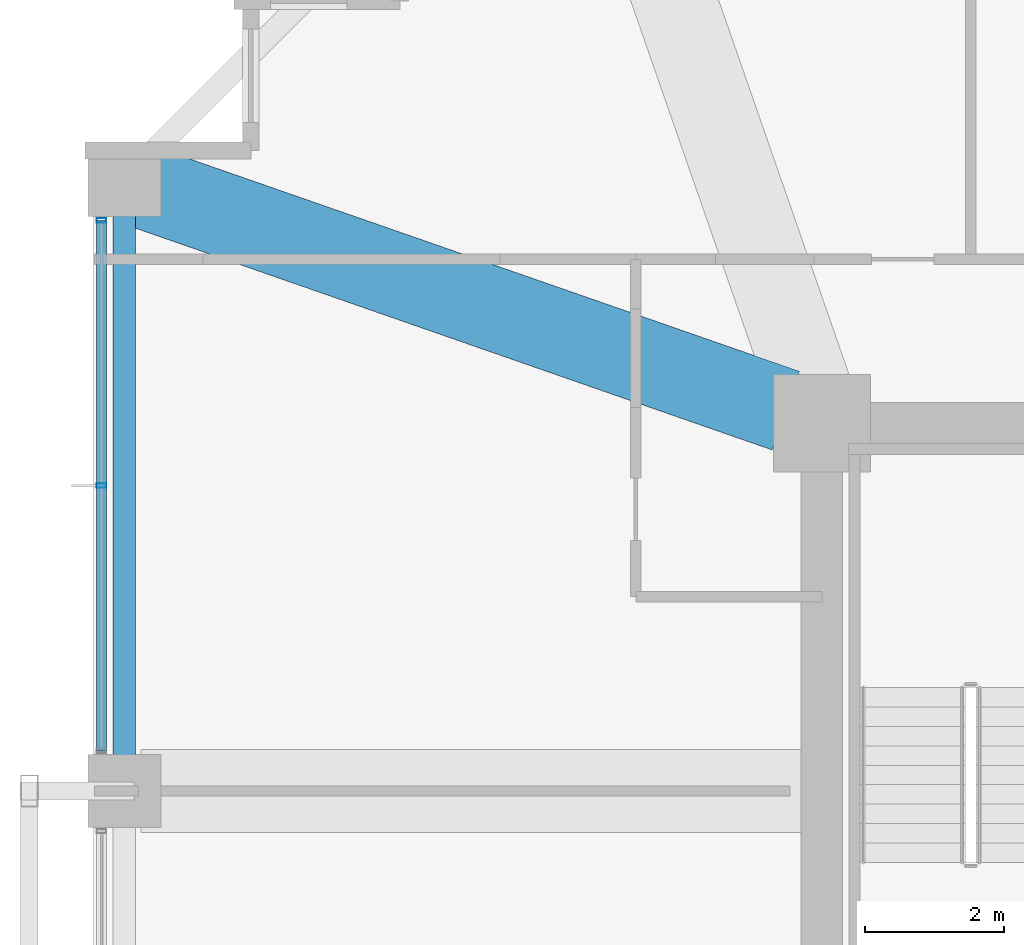
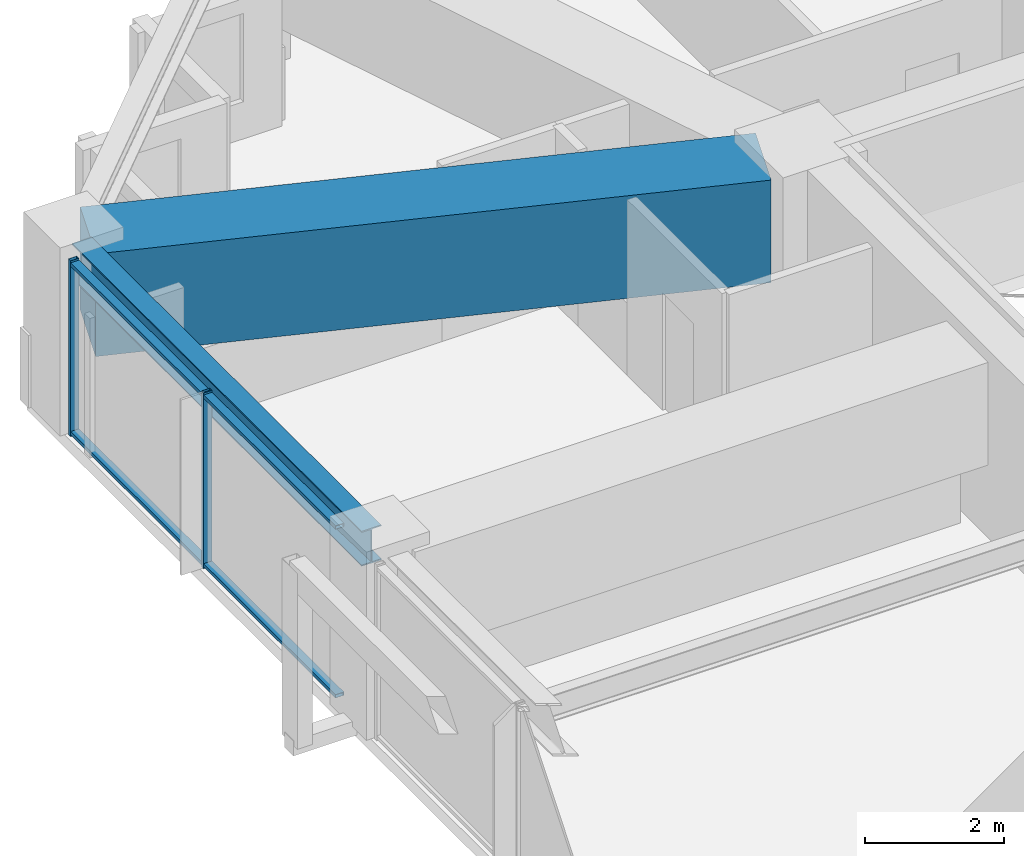
# One storey, part 19 of 39: 4 members, 2 beams, 1 element without a shape of its own.
"""IFC4 building model written with IfcOpenShell, lengths in metres."""

from ifc_helpers import new_model, si_unit, direction, frame, origin, origin_2d, place, context, subcontext, project, spatial, rectangle, hollow_rectangle, i_section, extrude, material, material_profile, profile_set, type_object, element, aggregate, save


model = new_model("IFC4")

# Units and contexts
model_context = context("Model", 3, precision=1e-05, world=origin(), true_north=direction((0.0, 1.0)))
body_context = subcontext(model_context, "Body", "Model", "MODEL_VIEW")
ifc_project = project(units=[si_unit("LENGTHUNIT", "METRE"), si_unit("AREAUNIT", "SQUARE_METRE"), si_unit("VOLUMEUNIT", "CUBIC_METRE"), si_unit("PLANEANGLEUNIT", "RADIAN"), si_unit("MASSUNIT", "GRAM", prefix="KILO")], contexts=[model_context])

# Site, building, storey
site_placement = place(None, origin())
site = spatial("IfcSite", under=ifc_project, at=site_placement, CompositionType="ELEMENT")
building_placement = place(site_placement, origin())
building = spatial("IfcBuilding", under=site, at=building_placement, Name="Kolvaren Belvedere", CompositionType="ELEMENT")
storey_placement = place(building_placement, frame((0.0, 0.0, 85.39990234375)))
storey = spatial("IfcBuildingStorey", under=building, at=storey_placement, Name="L24", CompositionType="ELEMENT", Elevation=85.39990234375)

# Beams
ifc_material_1 = material(Name="Structural steel ASTM A992 Grade 50", Category="steel")
ifc_material_profile_1 = material_profile(ifc_material_1, i_section(OverallWidth=0.324951171875, OverallDepth=0.615966796875, WebThickness=0.013916015625, FlangeThickness=0.021484375, FilletRadius=0.02001953125, at=origin_2d()), Name="W24X117")
ifc_profile_set_1 = profile_set([ifc_material_profile_1], Name="Structural steel ASTM A992 Grade 50")
beam_type_1 = type_object("IfcBeamType", Name="BM-SPAN-W24X117", PredefinedType="SPANDREL", material=ifc_profile_set_1)
beam_1_placement = place(storey_placement, frame((-19.949951171875, 13.163818359375, 2.772216796875), z_axis=(0.0, -1.0, 0.0), x_axis=(1.0, 0.0, 0.0)))
element("IfcBeam", 1, at=beam_1_placement, inside=storey, type_object=beam_type_1, Name="L24 Perimeter Spandrel W4-W3", PredefinedType="SPANDREL", context=body_context, shape_type="SweptSolid", body=[
    extrude(i_section(OverallWidth=0.324951171875, OverallDepth=0.615966796875, WebThickness=0.013916015625, FlangeThickness=0.021484375, FilletRadius=0.02001953125, at=origin_2d()), origin(), (0.0, 0.0, 1.0), 8.32763671875),
])
ifc_material_2 = material(Name="Concrete C50/60", Category="concrete")
ifc_material_profile_2 = material_profile(ifc_material_2, rectangle(XDim=1.199951171875, YDim=1.800048828125, at=origin_2d()), Name="RC 1200X1800")
ifc_profile_set_2 = profile_set([ifc_material_profile_2], Name="Concrete C50/60")
beam_type_2 = type_object("IfcBeamType", Name="BM-TG-1800", PredefinedType="BEAM", material=ifc_profile_set_2)
beam_2_placement = place(storey_placement, frame((-10.41943359375, 10.080810546875, 2.18017578125), z_axis=(-0.944371408538, 0.328880894453, 0.0), x_axis=(-0.328880894453, -0.944371408538, 0.0)))
element("IfcBeam", 2, at=beam_2_placement, inside=storey, type_object=beam_type_2, Name="L24 Corner Core-to-Perimeter Girder CC4-W4", PredefinedType="BEAM", context=body_context, shape_type="SweptSolid", body=[
    extrude(rectangle(XDim=1.199951171875, YDim=1.800048828125, at=origin_2d()), origin(), (0.0, 0.0, 1.0), 9.882080078125),
])

# Curtain wall, members
ifc_material_3 = material(Name="Anodised pale-metal aluminium AA 6063-T6", Category="aluminium")
curtain_wall_type = type_object("IfcCurtainWallType", Name="CW-Z2-MID", PredefinedType="NOTDEFINED", material=ifc_material_3)
curtain_wall_placement = place(storey_placement, origin())
curtain_wall = element("IfcCurtainWall", 3, at=curtain_wall_placement, inside=storey, type_object=curtain_wall_type, Name="L24 Unitised Curtain Wall FCW-L24-W-B3", PredefinedType="NOTDEFINED")
ifc_material_4 = material(Name="Anodised pale-metal aluminium AA 6063-T6", Category="aluminium")
ifc_material_profile_3 = material_profile(ifc_material_4, hollow_rectangle(XDim=0.06494140625, YDim=0.139892578125, WallThickness=0.00390625, at=origin_2d()), Name="ALU-MUL-140X65")
ifc_profile_set_3 = profile_set([ifc_material_profile_3], Name="Anodised pale-metal aluminium AA 6063-T6")
member_type_1 = type_object("IfcMemberType", Name="CW-MUL-140", PredefinedType="MULLION", material=ifc_profile_set_3)
member_1_placement = place(storey_placement, frame((-20.280029296875, 9.0, 0.0), z_axis=(0.0, 0.0, 1.0), x_axis=(0.0, 1.0, 0.0)))
member_1 = element("IfcMember", 4, at=member_1_placement, type_object=member_type_1, Name="FCW-L24-W-B3 Unitised Mullion 2", PredefinedType="MULLION", context=body_context, shape_type="SweptSolid", body=[
    extrude(hollow_rectangle(XDim=0.06494140625, YDim=0.139892578125, WallThickness=0.00390625, at=origin_2d()), origin(), (0.0, 0.0, 1.0), 3.080078125),
])
member_2_placement = place(storey_placement, frame((-20.280029296875, 12.822509765625, 0.0), z_axis=(0.0, 0.0, 1.0), x_axis=(0.0, 1.0, 0.0)))
member_2 = element("IfcMember", 5, at=member_2_placement, type_object=member_type_1, Name="FCW-L24-W-B3 Unitised Mullion 3", PredefinedType="MULLION", context=body_context, shape_type="SweptSolid", body=[
    extrude(hollow_rectangle(XDim=0.06494140625, YDim=0.139892578125, WallThickness=0.00390625, at=origin_2d()), origin(), (0.0, 0.0, 1.0), 3.080078125),
])
ifc_material_5 = material(Name="Anodised pale-metal aluminium AA 6063-T6", Category="aluminium")
ifc_material_profile_4 = material_profile(ifc_material_5, hollow_rectangle(XDim=0.06005859375, YDim=0.139892578125, WallThickness=0.00390625, at=origin_2d()), Name="ALU-TRN-140X60")
ifc_profile_set_4 = profile_set([ifc_material_profile_4], Name="Anodised pale-metal aluminium AA 6063-T6")
member_type_2 = type_object("IfcMemberType", Name="CW-TRN-140", PredefinedType="USERDEFINED", material=ifc_profile_set_4)
member_3_placement = place(storey_placement, frame((-20.280029296875, 5.177490234375, 0.06005859375), z_axis=(0.0, 1.0, 0.0), x_axis=(0.0, 0.0, 1.0)))
member_3 = element("IfcMember", 6, at=member_3_placement, type_object=member_type_2, Name="FCW-L24-W-B3 Sill Transom", ObjectType="TRANSOM", PredefinedType="USERDEFINED", context=body_context, shape_type="SweptSolid", body=[
    extrude(hollow_rectangle(XDim=0.06005859375, YDim=0.139892578125, WallThickness=0.00390625, at=origin_2d()), origin(), (0.0, 0.0, 1.0), 7.64501953125),
])
member_4_placement = place(storey_placement, frame((-20.280029296875, 5.177490234375, 3.02001953125), z_axis=(0.0, 1.0, 0.0), x_axis=(0.0, 0.0, 1.0)))
member_4 = element("IfcMember", 7, at=member_4_placement, type_object=member_type_2, Name="FCW-L24-W-B3 Head Transom", ObjectType="TRANSOM", PredefinedType="USERDEFINED", context=body_context, shape_type="SweptSolid", body=[
    extrude(hollow_rectangle(XDim=0.06005859375, YDim=0.139892578125, WallThickness=0.00390625, at=origin_2d()), origin(), (0.0, 0.0, 1.0), 7.64501953125),
])
aggregate(curtain_wall, [member_1, member_2, member_3, member_4])

save(model, "model.ifc")
